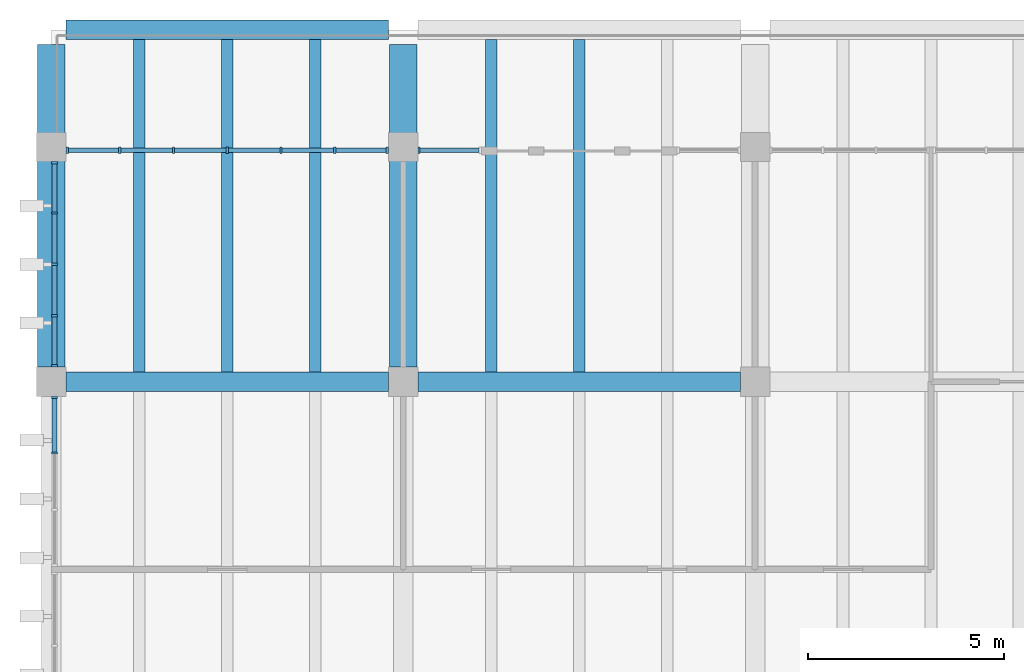
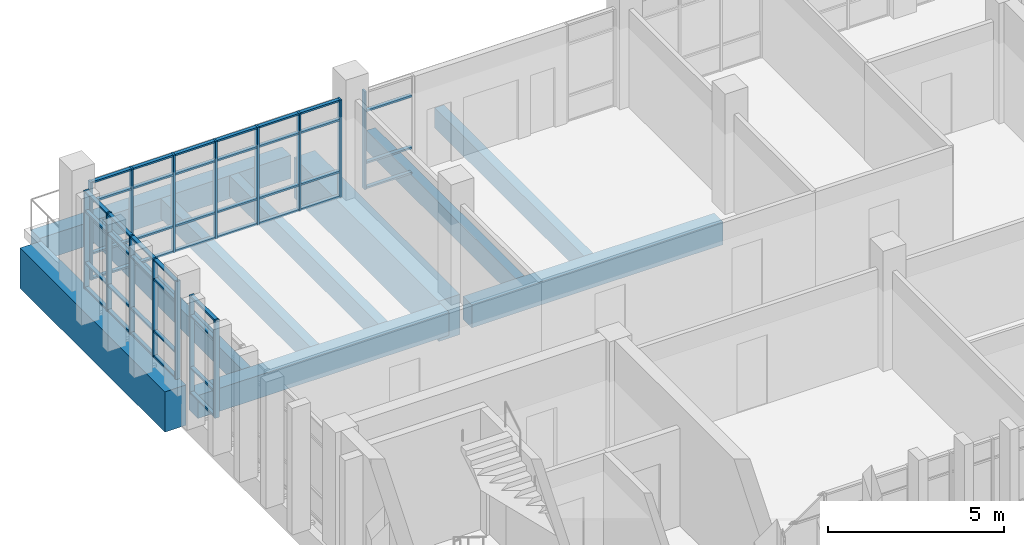
# One storey, part 4 of 15: 62 members, 10 beams, 4 elements without a shape of their own.
"""IFC4 building model written with IfcOpenShell, lengths in metres."""

from ifc_helpers import new_model, si_unit, direction, frame, origin, origin_2d, place, context, subcontext, project, spatial, rectangle, extrude, material, material_profile, profile_set, type_object, element, aggregate, save


model = new_model("IFC4")

# Units and contexts
model_context = context("Model", 3, precision=1e-05, world=origin(), true_north=direction((0.0, 1.0)))
body_context = subcontext(model_context, "Body", "Model", "MODEL_VIEW")
ifc_project = project(units=[si_unit("LENGTHUNIT", "METRE"), si_unit("AREAUNIT", "SQUARE_METRE"), si_unit("VOLUMEUNIT", "CUBIC_METRE"), si_unit("PLANEANGLEUNIT", "RADIAN"), si_unit("MASSUNIT", "GRAM", prefix="KILO")], contexts=[model_context])

# Site, building, storey
site_placement = place(None, origin())
site = spatial("IfcSite", under=ifc_project, at=site_placement, CompositionType="ELEMENT")
building_placement = place(site_placement, origin())
building = spatial("IfcBuilding", under=site, at=building_placement, Name="Merrow Basin Faculty of Sciences", CompositionType="ELEMENT")
storey_placement = place(building_placement, frame((0.0, 0.0, 31.5)))
storey = spatial("IfcBuildingStorey", under=building, at=storey_placement, Name="L07", CompositionType="ELEMENT", Elevation=31.5)

# Curtain wall, members
ifc_material_1 = material(Name="Aluminium alloy 6063", Category="aluminium")
curtain_wall_type = type_object("IfcCurtainWallType", Name="Unitised curtain wall 160", PredefinedType="NOTDEFINED", material=ifc_material_1)
curtain_wall_1_placement = place(storey_placement, origin())
curtain_wall_1 = element("IfcCurtainWall", 1, at=curtain_wall_1_placement, inside=storey, type_object=curtain_wall_type, Name="W curtain wall L07 2", PredefinedType="NOTDEFINED")
ifc_material_2 = material(Name="Aluminium alloy 6063", Category="aluminium")
ifc_material_profile_1 = material_profile(ifc_material_2, rectangle(XDim=0.159912109375, YDim=0.06005859375, at=origin_2d()))
ifc_profile_set_1 = profile_set([ifc_material_profile_1], Name="Aluminium alloy 6063")
member_type_1 = type_object("IfcMemberType", Name="Aluminium mullion 60x160", PredefinedType="MULLION", material=ifc_profile_set_1)
member_1_placement = place(storey_placement, frame((18.080078125, 158.175048828125, 0.0), z_axis=(0.0, 0.0, 1.0), x_axis=(-1.0, 0.0, 0.0)))
member_1 = element("IfcMember", 2, at=member_1_placement, type_object=member_type_1, Name="CW3 mullion 3", PredefinedType="MULLION", context=body_context, shape_type="SweptSolid", body=[
    extrude(rectangle(XDim=0.159912109375, YDim=0.06005859375, at=origin_2d()), origin(), (0.0, 0.0, 1.0), 3.39990234375),
])
member_2_placement = place(storey_placement, frame((18.080078125, 159.594970703125, 0.0), z_axis=(0.0, 0.0, 1.0), x_axis=(-1.0, 0.0, 0.0)))
member_2 = element("IfcMember", 3, at=member_2_placement, type_object=member_type_1, Name="CW3 mullion 4", PredefinedType="MULLION", context=body_context, shape_type="SweptSolid", body=[
    extrude(rectangle(XDim=0.159912109375, YDim=0.06005859375, at=origin_2d()), origin(), (0.0, 0.0, 1.0), 3.39990234375),
])

curtain_wall_2_placement = place(storey_placement, origin())
curtain_wall_2 = element("IfcCurtainWall", 4, at=curtain_wall_2_placement, inside=storey, type_object=curtain_wall_type, Name="W curtain wall L07 3", PredefinedType="NOTDEFINED")
member_3_placement = place(storey_placement, frame((18.080078125, 160.405029296875, 0.0), z_axis=(0.0, 0.0, 1.0), x_axis=(-1.0, 0.0, 0.0)))
member_3 = element("IfcMember", 5, at=member_3_placement, type_object=member_type_1, Name="CW3 mullion 1", PredefinedType="MULLION", context=body_context, shape_type="SweptSolid", body=[
    extrude(rectangle(XDim=0.159912109375, YDim=0.06005859375, at=origin_2d()), origin(), (0.0, 0.0, 1.0), 3.39990234375),
])
member_4_placement = place(storey_placement, frame((18.080078125, 161.6875, 0.0), z_axis=(0.0, 0.0, 1.0), x_axis=(-1.0, 0.0, 0.0)))
member_4 = element("IfcMember", 6, at=member_4_placement, type_object=member_type_1, Name="CW3 mullion 2", PredefinedType="MULLION", context=body_context, shape_type="SweptSolid", body=[
    extrude(rectangle(XDim=0.159912109375, YDim=0.06005859375, at=origin_2d()), origin(), (0.0, 0.0, 1.0), 3.39990234375),
])
member_5_placement = place(storey_placement, frame((18.080078125, 163.0, 0.0), z_axis=(0.0, 0.0, 1.0), x_axis=(-1.0, 0.0, 0.0)))
member_5 = element("IfcMember", 7, at=member_5_placement, type_object=member_type_1, Name="CW3 mullion 3", PredefinedType="MULLION", context=body_context, shape_type="SweptSolid", body=[
    extrude(rectangle(XDim=0.159912109375, YDim=0.06005859375, at=origin_2d()), origin(), (0.0, 0.0, 1.0), 3.39990234375),
])
member_6_placement = place(storey_placement, frame((18.080078125, 164.3125, 0.0), z_axis=(0.0, 0.0, 1.0), x_axis=(-1.0, 0.0, 0.0)))
member_6 = element("IfcMember", 8, at=member_6_placement, type_object=member_type_1, Name="CW3 mullion 4", PredefinedType="MULLION", context=body_context, shape_type="SweptSolid", body=[
    extrude(rectangle(XDim=0.159912109375, YDim=0.06005859375, at=origin_2d()), origin(), (0.0, 0.0, 1.0), 3.39990234375),
])
member_7_placement = place(storey_placement, frame((18.080078125, 165.594970703125, 0.0), z_axis=(0.0, 0.0, 1.0), x_axis=(-1.0, 0.0, 0.0)))
member_7 = element("IfcMember", 9, at=member_7_placement, type_object=member_type_1, Name="CW3 mullion 5", PredefinedType="MULLION", context=body_context, shape_type="SweptSolid", body=[
    extrude(rectangle(XDim=0.159912109375, YDim=0.06005859375, at=origin_2d()), origin(), (0.0, 0.0, 1.0), 3.39990234375),
])

curtain_wall_3_placement = place(storey_placement, origin())
curtain_wall_3 = element("IfcCurtainWall", 10, at=curtain_wall_3_placement, inside=storey, type_object=curtain_wall_type, Name="N curtain wall L07 1", PredefinedType="NOTDEFINED")
member_8_placement = place(storey_placement, frame((18.405029296875, 165.919921875, 0.0), z_axis=(0.0, 0.0, 1.0), x_axis=(0.0, 1.0, 0.0)))
member_8 = element("IfcMember", 11, at=member_8_placement, type_object=member_type_1, Name="CW3 mullion 1", PredefinedType="MULLION", context=body_context, shape_type="SweptSolid", body=[
    extrude(rectangle(XDim=0.159912109375, YDim=0.06005859375, at=origin_2d()), origin(), (0.0, 0.0, 1.0), 3.39990234375),
])
member_9_placement = place(storey_placement, frame((19.75, 165.919921875, 0.0), z_axis=(0.0, 0.0, 1.0), x_axis=(0.0, 1.0, 0.0)))
member_9 = element("IfcMember", 12, at=member_9_placement, type_object=member_type_1, Name="CW3 mullion 2", PredefinedType="MULLION", context=body_context, shape_type="SweptSolid", body=[
    extrude(rectangle(XDim=0.159912109375, YDim=0.06005859375, at=origin_2d()), origin(), (0.0, 0.0, 1.0), 3.39990234375),
])
member_10_placement = place(storey_placement, frame((21.125, 165.919921875, 0.0), z_axis=(0.0, 0.0, 1.0), x_axis=(0.0, 1.0, 0.0)))
member_10 = element("IfcMember", 13, at=member_10_placement, type_object=member_type_1, Name="CW3 mullion 3", PredefinedType="MULLION", context=body_context, shape_type="SweptSolid", body=[
    extrude(rectangle(XDim=0.159912109375, YDim=0.06005859375, at=origin_2d()), origin(), (0.0, 0.0, 1.0), 3.39990234375),
])
member_11_placement = place(storey_placement, frame((22.5, 165.919921875, 0.0), z_axis=(0.0, 0.0, 1.0), x_axis=(0.0, 1.0, 0.0)))
member_11 = element("IfcMember", 14, at=member_11_placement, type_object=member_type_1, Name="CW3 mullion 4", PredefinedType="MULLION", context=body_context, shape_type="SweptSolid", body=[
    extrude(rectangle(XDim=0.159912109375, YDim=0.06005859375, at=origin_2d()), origin(), (0.0, 0.0, 1.0), 3.39990234375),
])
member_12_placement = place(storey_placement, frame((23.875, 165.919921875, 0.0), z_axis=(0.0, 0.0, 1.0), x_axis=(0.0, 1.0, 0.0)))
member_12 = element("IfcMember", 15, at=member_12_placement, type_object=member_type_1, Name="CW3 mullion 5", PredefinedType="MULLION", context=body_context, shape_type="SweptSolid", body=[
    extrude(rectangle(XDim=0.159912109375, YDim=0.06005859375, at=origin_2d()), origin(), (0.0, 0.0, 1.0), 3.39990234375),
])
member_13_placement = place(storey_placement, frame((25.25, 165.919921875, 0.0), z_axis=(0.0, 0.0, 1.0), x_axis=(0.0, 1.0, 0.0)))
member_13 = element("IfcMember", 16, at=member_13_placement, type_object=member_type_1, Name="CW3 mullion 6", PredefinedType="MULLION", context=body_context, shape_type="SweptSolid", body=[
    extrude(rectangle(XDim=0.159912109375, YDim=0.06005859375, at=origin_2d()), origin(), (0.0, 0.0, 1.0), 3.39990234375),
])
member_14_placement = place(storey_placement, frame((26.594970703125, 165.919921875, 0.0), z_axis=(0.0, 0.0, 1.0), x_axis=(0.0, 1.0, 0.0)))
member_14 = element("IfcMember", 17, at=member_14_placement, type_object=member_type_1, Name="CW3 mullion 7", PredefinedType="MULLION", context=body_context, shape_type="SweptSolid", body=[
    extrude(rectangle(XDim=0.159912109375, YDim=0.06005859375, at=origin_2d()), origin(), (0.0, 0.0, 1.0), 3.39990234375),
])

# Curtain wall, member
curtain_wall_4_placement = place(storey_placement, origin())
curtain_wall_4 = element("IfcCurtainWall", 18, at=curtain_wall_4_placement, inside=storey, type_object=curtain_wall_type, Name="N curtain wall L07 2", PredefinedType="NOTDEFINED")
member_15_placement = place(storey_placement, frame((27.405029296875, 165.919921875, 0.0), z_axis=(0.0, 0.0, 1.0), x_axis=(0.0, 1.0, 0.0)))
member_15 = element("IfcMember", 19, at=member_15_placement, type_object=member_type_1, Name="CW3 mullion 1", PredefinedType="MULLION", context=body_context, shape_type="SweptSolid", body=[
    extrude(rectangle(XDim=0.159912109375, YDim=0.06005859375, at=origin_2d()), origin(), (0.0, 0.0, 1.0), 3.39990234375),
])

# Member
ifc_material_3 = material(Name="Aluminium alloy 6063", Category="aluminium")
ifc_material_profile_2 = material_profile(ifc_material_3, rectangle(XDim=0.1201171875, YDim=0.06005859375, at=origin_2d()))
ifc_profile_set_2 = profile_set([ifc_material_profile_2], Name="Aluminium alloy 6063")
member_type_2 = type_object("IfcMemberType", Name="Aluminium transom 60x120", PredefinedType="USERDEFINED", material=ifc_profile_set_2)
member_16_placement = place(storey_placement, frame((18.080078125, 158.205078125, 0.030029296875), z_axis=(0.0, 1.0, 0.0), x_axis=(-1.0, 0.0, 0.0)))
member_16 = element("IfcMember", 20, at=member_16_placement, type_object=member_type_2, Name="CW3 transom 3.1", ObjectType="TRANSOM", PredefinedType="USERDEFINED", context=body_context, shape_type="SweptSolid", body=[
    extrude(rectangle(XDim=0.1201171875, YDim=0.06005859375, at=origin_2d()), origin(), (0.0, 0.0, 1.0), 1.35986328125),
])

member_17_placement = place(storey_placement, frame((18.080078125, 158.205078125, 0.89990234375), z_axis=(0.0, 1.0, 0.0), x_axis=(-1.0, 0.0, 0.0)))
member_17 = element("IfcMember", 21, at=member_17_placement, type_object=member_type_2, Name="CW3 transom 3.2", ObjectType="TRANSOM", PredefinedType="USERDEFINED", context=body_context, shape_type="SweptSolid", body=[
    extrude(rectangle(XDim=0.1201171875, YDim=0.06005859375, at=origin_2d()), origin(), (0.0, 0.0, 1.0), 1.35986328125),
])

member_18_placement = place(storey_placement, frame((18.080078125, 158.205078125, 2.699951171875), z_axis=(0.0, 1.0, 0.0), x_axis=(-1.0, 0.0, 0.0)))
member_18 = element("IfcMember", 22, at=member_18_placement, type_object=member_type_2, Name="CW3 transom 3.3", ObjectType="TRANSOM", PredefinedType="USERDEFINED", context=body_context, shape_type="SweptSolid", body=[
    extrude(rectangle(XDim=0.1201171875, YDim=0.06005859375, at=origin_2d()), origin(), (0.0, 0.0, 1.0), 1.35986328125),
])

member_19_placement = place(storey_placement, frame((18.080078125, 158.205078125, 3.3701171875), z_axis=(0.0, 1.0, 0.0), x_axis=(-1.0, 0.0, 0.0)))
member_19 = element("IfcMember", 23, at=member_19_placement, type_object=member_type_2, Name="CW3 transom 3.4", ObjectType="TRANSOM", PredefinedType="USERDEFINED", context=body_context, shape_type="SweptSolid", body=[
    extrude(rectangle(XDim=0.1201171875, YDim=0.06005859375, at=origin_2d()), origin(), (0.0, 0.0, 1.0), 1.35986328125),
])

aggregate(curtain_wall_1, [member_1, member_2, member_16, member_17, member_18, member_19])

member_20_placement = place(storey_placement, frame((18.080078125, 160.43505859375, 0.030029296875), z_axis=(0.0, 1.0, 0.0), x_axis=(-1.0, 0.0, 0.0)))
member_20 = element("IfcMember", 24, at=member_20_placement, type_object=member_type_2, Name="CW3 transom 1.1", ObjectType="TRANSOM", PredefinedType="USERDEFINED", context=body_context, shape_type="SweptSolid", body=[
    extrude(rectangle(XDim=0.1201171875, YDim=0.06005859375, at=origin_2d()), origin(), (0.0, 0.0, 1.0), 1.222412109375),
])

member_21_placement = place(storey_placement, frame((18.080078125, 160.43505859375, 0.89990234375), z_axis=(0.0, 1.0, 0.0), x_axis=(-1.0, 0.0, 0.0)))
member_21 = element("IfcMember", 25, at=member_21_placement, type_object=member_type_2, Name="CW3 transom 1.2", ObjectType="TRANSOM", PredefinedType="USERDEFINED", context=body_context, shape_type="SweptSolid", body=[
    extrude(rectangle(XDim=0.1201171875, YDim=0.06005859375, at=origin_2d()), origin(), (0.0, 0.0, 1.0), 1.222412109375),
])

member_22_placement = place(storey_placement, frame((18.080078125, 160.43505859375, 2.699951171875), z_axis=(0.0, 1.0, 0.0), x_axis=(-1.0, 0.0, 0.0)))
member_22 = element("IfcMember", 26, at=member_22_placement, type_object=member_type_2, Name="CW3 transom 1.3", ObjectType="TRANSOM", PredefinedType="USERDEFINED", context=body_context, shape_type="SweptSolid", body=[
    extrude(rectangle(XDim=0.1201171875, YDim=0.06005859375, at=origin_2d()), origin(), (0.0, 0.0, 1.0), 1.222412109375),
])

member_23_placement = place(storey_placement, frame((18.080078125, 160.43505859375, 3.3701171875), z_axis=(0.0, 1.0, 0.0), x_axis=(-1.0, 0.0, 0.0)))
member_23 = element("IfcMember", 27, at=member_23_placement, type_object=member_type_2, Name="CW3 transom 1.4", ObjectType="TRANSOM", PredefinedType="USERDEFINED", context=body_context, shape_type="SweptSolid", body=[
    extrude(rectangle(XDim=0.1201171875, YDim=0.06005859375, at=origin_2d()), origin(), (0.0, 0.0, 1.0), 1.222412109375),
])

member_24_placement = place(storey_placement, frame((18.080078125, 161.717529296875, 0.030029296875), z_axis=(0.0, 1.0, 0.0), x_axis=(-1.0, 0.0, 0.0)))
member_24 = element("IfcMember", 28, at=member_24_placement, type_object=member_type_2, Name="CW3 transom 2.1", ObjectType="TRANSOM", PredefinedType="USERDEFINED", context=body_context, shape_type="SweptSolid", body=[
    extrude(rectangle(XDim=0.1201171875, YDim=0.06005859375, at=origin_2d()), origin(), (0.0, 0.0, 1.0), 1.25244140625),
])

member_25_placement = place(storey_placement, frame((18.080078125, 161.717529296875, 0.89990234375), z_axis=(0.0, 1.0, 0.0), x_axis=(-1.0, 0.0, 0.0)))
member_25 = element("IfcMember", 29, at=member_25_placement, type_object=member_type_2, Name="CW3 transom 2.2", ObjectType="TRANSOM", PredefinedType="USERDEFINED", context=body_context, shape_type="SweptSolid", body=[
    extrude(rectangle(XDim=0.1201171875, YDim=0.06005859375, at=origin_2d()), origin(), (0.0, 0.0, 1.0), 1.25244140625),
])

member_26_placement = place(storey_placement, frame((18.080078125, 161.717529296875, 2.699951171875), z_axis=(0.0, 1.0, 0.0), x_axis=(-1.0, 0.0, 0.0)))
member_26 = element("IfcMember", 30, at=member_26_placement, type_object=member_type_2, Name="CW3 transom 2.3", ObjectType="TRANSOM", PredefinedType="USERDEFINED", context=body_context, shape_type="SweptSolid", body=[
    extrude(rectangle(XDim=0.1201171875, YDim=0.06005859375, at=origin_2d()), origin(), (0.0, 0.0, 1.0), 1.25244140625),
])

member_27_placement = place(storey_placement, frame((18.080078125, 161.717529296875, 3.3701171875), z_axis=(0.0, 1.0, 0.0), x_axis=(-1.0, 0.0, 0.0)))
member_27 = element("IfcMember", 31, at=member_27_placement, type_object=member_type_2, Name="CW3 transom 2.4", ObjectType="TRANSOM", PredefinedType="USERDEFINED", context=body_context, shape_type="SweptSolid", body=[
    extrude(rectangle(XDim=0.1201171875, YDim=0.06005859375, at=origin_2d()), origin(), (0.0, 0.0, 1.0), 1.25244140625),
])

member_28_placement = place(storey_placement, frame((18.080078125, 163.030029296875, 0.030029296875), z_axis=(0.0, 1.0, 0.0), x_axis=(-1.0, 0.0, 0.0)))
member_28 = element("IfcMember", 32, at=member_28_placement, type_object=member_type_2, Name="CW3 transom 3.1", ObjectType="TRANSOM", PredefinedType="USERDEFINED", context=body_context, shape_type="SweptSolid", body=[
    extrude(rectangle(XDim=0.1201171875, YDim=0.06005859375, at=origin_2d()), origin(), (0.0, 0.0, 1.0), 1.25244140625),
])

member_29_placement = place(storey_placement, frame((18.080078125, 163.030029296875, 0.89990234375), z_axis=(0.0, 1.0, 0.0), x_axis=(-1.0, 0.0, 0.0)))
member_29 = element("IfcMember", 33, at=member_29_placement, type_object=member_type_2, Name="CW3 transom 3.2", ObjectType="TRANSOM", PredefinedType="USERDEFINED", context=body_context, shape_type="SweptSolid", body=[
    extrude(rectangle(XDim=0.1201171875, YDim=0.06005859375, at=origin_2d()), origin(), (0.0, 0.0, 1.0), 1.25244140625),
])

member_30_placement = place(storey_placement, frame((18.080078125, 163.030029296875, 2.699951171875), z_axis=(0.0, 1.0, 0.0), x_axis=(-1.0, 0.0, 0.0)))
member_30 = element("IfcMember", 34, at=member_30_placement, type_object=member_type_2, Name="CW3 transom 3.3", ObjectType="TRANSOM", PredefinedType="USERDEFINED", context=body_context, shape_type="SweptSolid", body=[
    extrude(rectangle(XDim=0.1201171875, YDim=0.06005859375, at=origin_2d()), origin(), (0.0, 0.0, 1.0), 1.25244140625),
])

member_31_placement = place(storey_placement, frame((18.080078125, 163.030029296875, 3.3701171875), z_axis=(0.0, 1.0, 0.0), x_axis=(-1.0, 0.0, 0.0)))
member_31 = element("IfcMember", 35, at=member_31_placement, type_object=member_type_2, Name="CW3 transom 3.4", ObjectType="TRANSOM", PredefinedType="USERDEFINED", context=body_context, shape_type="SweptSolid", body=[
    extrude(rectangle(XDim=0.1201171875, YDim=0.06005859375, at=origin_2d()), origin(), (0.0, 0.0, 1.0), 1.25244140625),
])

member_32_placement = place(storey_placement, frame((18.080078125, 164.342529296875, 0.030029296875), z_axis=(0.0, 1.0, 0.0), x_axis=(-1.0, 0.0, 0.0)))
member_32 = element("IfcMember", 36, at=member_32_placement, type_object=member_type_2, Name="CW3 transom 4.1", ObjectType="TRANSOM", PredefinedType="USERDEFINED", context=body_context, shape_type="SweptSolid", body=[
    extrude(rectangle(XDim=0.1201171875, YDim=0.06005859375, at=origin_2d()), origin(), (0.0, 0.0, 1.0), 1.222412109375),
])

member_33_placement = place(storey_placement, frame((18.080078125, 164.342529296875, 0.89990234375), z_axis=(0.0, 1.0, 0.0), x_axis=(-1.0, 0.0, 0.0)))
member_33 = element("IfcMember", 37, at=member_33_placement, type_object=member_type_2, Name="CW3 transom 4.2", ObjectType="TRANSOM", PredefinedType="USERDEFINED", context=body_context, shape_type="SweptSolid", body=[
    extrude(rectangle(XDim=0.1201171875, YDim=0.06005859375, at=origin_2d()), origin(), (0.0, 0.0, 1.0), 1.222412109375),
])

member_34_placement = place(storey_placement, frame((18.080078125, 164.342529296875, 2.699951171875), z_axis=(0.0, 1.0, 0.0), x_axis=(-1.0, 0.0, 0.0)))
member_34 = element("IfcMember", 38, at=member_34_placement, type_object=member_type_2, Name="CW3 transom 4.3", ObjectType="TRANSOM", PredefinedType="USERDEFINED", context=body_context, shape_type="SweptSolid", body=[
    extrude(rectangle(XDim=0.1201171875, YDim=0.06005859375, at=origin_2d()), origin(), (0.0, 0.0, 1.0), 1.222412109375),
])

member_35_placement = place(storey_placement, frame((18.080078125, 164.342529296875, 3.3701171875), z_axis=(0.0, 1.0, 0.0), x_axis=(-1.0, 0.0, 0.0)))
member_35 = element("IfcMember", 39, at=member_35_placement, type_object=member_type_2, Name="CW3 transom 4.4", ObjectType="TRANSOM", PredefinedType="USERDEFINED", context=body_context, shape_type="SweptSolid", body=[
    extrude(rectangle(XDim=0.1201171875, YDim=0.06005859375, at=origin_2d()), origin(), (0.0, 0.0, 1.0), 1.222412109375),
])

aggregate(curtain_wall_2, [member_3, member_4, member_5, member_6, member_7, member_20, member_21, member_22, member_23, member_24, member_25, member_26, member_27, member_28, member_29, member_30, member_31, member_32, member_33, member_34, member_35])

member_36_placement = place(storey_placement, frame((18.43505859375, 165.919921875, 0.030029296875), z_axis=(1.0, 0.0, 0.0), x_axis=(0.0, 1.0, 0.0)))
member_36 = element("IfcMember", 40, at=member_36_placement, type_object=member_type_2, Name="CW3 transom 1.1", ObjectType="TRANSOM", PredefinedType="USERDEFINED", context=body_context, shape_type="SweptSolid", body=[
    extrude(rectangle(XDim=0.1201171875, YDim=0.06005859375, at=origin_2d()), origin(), (0.0, 0.0, 1.0), 1.284912109375),
])

member_37_placement = place(storey_placement, frame((18.43505859375, 165.919921875, 0.89990234375), z_axis=(1.0, 0.0, 0.0), x_axis=(0.0, 1.0, 0.0)))
member_37 = element("IfcMember", 41, at=member_37_placement, type_object=member_type_2, Name="CW3 transom 1.2", ObjectType="TRANSOM", PredefinedType="USERDEFINED", context=body_context, shape_type="SweptSolid", body=[
    extrude(rectangle(XDim=0.1201171875, YDim=0.06005859375, at=origin_2d()), origin(), (0.0, 0.0, 1.0), 1.284912109375),
])

member_38_placement = place(storey_placement, frame((18.43505859375, 165.919921875, 2.699951171875), z_axis=(1.0, 0.0, 0.0), x_axis=(0.0, 1.0, 0.0)))
member_38 = element("IfcMember", 42, at=member_38_placement, type_object=member_type_2, Name="CW3 transom 1.3", ObjectType="TRANSOM", PredefinedType="USERDEFINED", context=body_context, shape_type="SweptSolid", body=[
    extrude(rectangle(XDim=0.1201171875, YDim=0.06005859375, at=origin_2d()), origin(), (0.0, 0.0, 1.0), 1.284912109375),
])

member_39_placement = place(storey_placement, frame((18.43505859375, 165.919921875, 3.3701171875), z_axis=(1.0, 0.0, 0.0), x_axis=(0.0, 1.0, 0.0)))
member_39 = element("IfcMember", 43, at=member_39_placement, type_object=member_type_2, Name="CW3 transom 1.4", ObjectType="TRANSOM", PredefinedType="USERDEFINED", context=body_context, shape_type="SweptSolid", body=[
    extrude(rectangle(XDim=0.1201171875, YDim=0.06005859375, at=origin_2d()), origin(), (0.0, 0.0, 1.0), 1.284912109375),
])

member_40_placement = place(storey_placement, frame((19.780029296875, 165.919921875, 0.030029296875), z_axis=(1.0, 0.0, 0.0), x_axis=(0.0, 1.0, 0.0)))
member_40 = element("IfcMember", 44, at=member_40_placement, type_object=member_type_2, Name="CW3 transom 2.1", ObjectType="TRANSOM", PredefinedType="USERDEFINED", context=body_context, shape_type="SweptSolid", body=[
    extrude(rectangle(XDim=0.1201171875, YDim=0.06005859375, at=origin_2d()), origin(), (0.0, 0.0, 1.0), 1.31494140625),
])

member_41_placement = place(storey_placement, frame((19.780029296875, 165.919921875, 0.89990234375), z_axis=(1.0, 0.0, 0.0), x_axis=(0.0, 1.0, 0.0)))
member_41 = element("IfcMember", 45, at=member_41_placement, type_object=member_type_2, Name="CW3 transom 2.2", ObjectType="TRANSOM", PredefinedType="USERDEFINED", context=body_context, shape_type="SweptSolid", body=[
    extrude(rectangle(XDim=0.1201171875, YDim=0.06005859375, at=origin_2d()), origin(), (0.0, 0.0, 1.0), 1.31494140625),
])

member_42_placement = place(storey_placement, frame((19.780029296875, 165.919921875, 2.699951171875), z_axis=(1.0, 0.0, 0.0), x_axis=(0.0, 1.0, 0.0)))
member_42 = element("IfcMember", 46, at=member_42_placement, type_object=member_type_2, Name="CW3 transom 2.3", ObjectType="TRANSOM", PredefinedType="USERDEFINED", context=body_context, shape_type="SweptSolid", body=[
    extrude(rectangle(XDim=0.1201171875, YDim=0.06005859375, at=origin_2d()), origin(), (0.0, 0.0, 1.0), 1.31494140625),
])

member_43_placement = place(storey_placement, frame((19.780029296875, 165.919921875, 3.3701171875), z_axis=(1.0, 0.0, 0.0), x_axis=(0.0, 1.0, 0.0)))
member_43 = element("IfcMember", 47, at=member_43_placement, type_object=member_type_2, Name="CW3 transom 2.4", ObjectType="TRANSOM", PredefinedType="USERDEFINED", context=body_context, shape_type="SweptSolid", body=[
    extrude(rectangle(XDim=0.1201171875, YDim=0.06005859375, at=origin_2d()), origin(), (0.0, 0.0, 1.0), 1.31494140625),
])

member_44_placement = place(storey_placement, frame((21.155029296875, 165.919921875, 0.030029296875), z_axis=(1.0, 0.0, 0.0), x_axis=(0.0, 1.0, 0.0)))
member_44 = element("IfcMember", 48, at=member_44_placement, type_object=member_type_2, Name="CW3 transom 3.1", ObjectType="TRANSOM", PredefinedType="USERDEFINED", context=body_context, shape_type="SweptSolid", body=[
    extrude(rectangle(XDim=0.1201171875, YDim=0.06005859375, at=origin_2d()), origin(), (0.0, 0.0, 1.0), 1.31494140625),
])

member_45_placement = place(storey_placement, frame((21.155029296875, 165.919921875, 0.89990234375), z_axis=(1.0, 0.0, 0.0), x_axis=(0.0, 1.0, 0.0)))
member_45 = element("IfcMember", 49, at=member_45_placement, type_object=member_type_2, Name="CW3 transom 3.2", ObjectType="TRANSOM", PredefinedType="USERDEFINED", context=body_context, shape_type="SweptSolid", body=[
    extrude(rectangle(XDim=0.1201171875, YDim=0.06005859375, at=origin_2d()), origin(), (0.0, 0.0, 1.0), 1.31494140625),
])

member_46_placement = place(storey_placement, frame((21.155029296875, 165.919921875, 2.699951171875), z_axis=(1.0, 0.0, 0.0), x_axis=(0.0, 1.0, 0.0)))
member_46 = element("IfcMember", 50, at=member_46_placement, type_object=member_type_2, Name="CW3 transom 3.3", ObjectType="TRANSOM", PredefinedType="USERDEFINED", context=body_context, shape_type="SweptSolid", body=[
    extrude(rectangle(XDim=0.1201171875, YDim=0.06005859375, at=origin_2d()), origin(), (0.0, 0.0, 1.0), 1.31494140625),
])

member_47_placement = place(storey_placement, frame((21.155029296875, 165.919921875, 3.3701171875), z_axis=(1.0, 0.0, 0.0), x_axis=(0.0, 1.0, 0.0)))
member_47 = element("IfcMember", 51, at=member_47_placement, type_object=member_type_2, Name="CW3 transom 3.4", ObjectType="TRANSOM", PredefinedType="USERDEFINED", context=body_context, shape_type="SweptSolid", body=[
    extrude(rectangle(XDim=0.1201171875, YDim=0.06005859375, at=origin_2d()), origin(), (0.0, 0.0, 1.0), 1.31494140625),
])

member_48_placement = place(storey_placement, frame((22.530029296875, 165.919921875, 0.030029296875), z_axis=(1.0, 0.0, 0.0), x_axis=(0.0, 1.0, 0.0)))
member_48 = element("IfcMember", 52, at=member_48_placement, type_object=member_type_2, Name="CW3 transom 4.1", ObjectType="TRANSOM", PredefinedType="USERDEFINED", context=body_context, shape_type="SweptSolid", body=[
    extrude(rectangle(XDim=0.1201171875, YDim=0.06005859375, at=origin_2d()), origin(), (0.0, 0.0, 1.0), 1.31494140625),
])

member_49_placement = place(storey_placement, frame((22.530029296875, 165.919921875, 0.89990234375), z_axis=(1.0, 0.0, 0.0), x_axis=(0.0, 1.0, 0.0)))
member_49 = element("IfcMember", 53, at=member_49_placement, type_object=member_type_2, Name="CW3 transom 4.2", ObjectType="TRANSOM", PredefinedType="USERDEFINED", context=body_context, shape_type="SweptSolid", body=[
    extrude(rectangle(XDim=0.1201171875, YDim=0.06005859375, at=origin_2d()), origin(), (0.0, 0.0, 1.0), 1.31494140625),
])

member_50_placement = place(storey_placement, frame((22.530029296875, 165.919921875, 2.699951171875), z_axis=(1.0, 0.0, 0.0), x_axis=(0.0, 1.0, 0.0)))
member_50 = element("IfcMember", 54, at=member_50_placement, type_object=member_type_2, Name="CW3 transom 4.3", ObjectType="TRANSOM", PredefinedType="USERDEFINED", context=body_context, shape_type="SweptSolid", body=[
    extrude(rectangle(XDim=0.1201171875, YDim=0.06005859375, at=origin_2d()), origin(), (0.0, 0.0, 1.0), 1.31494140625),
])

member_51_placement = place(storey_placement, frame((22.530029296875, 165.919921875, 3.3701171875), z_axis=(1.0, 0.0, 0.0), x_axis=(0.0, 1.0, 0.0)))
member_51 = element("IfcMember", 55, at=member_51_placement, type_object=member_type_2, Name="CW3 transom 4.4", ObjectType="TRANSOM", PredefinedType="USERDEFINED", context=body_context, shape_type="SweptSolid", body=[
    extrude(rectangle(XDim=0.1201171875, YDim=0.06005859375, at=origin_2d()), origin(), (0.0, 0.0, 1.0), 1.31494140625),
])

member_52_placement = place(storey_placement, frame((23.905029296875, 165.919921875, 0.030029296875), z_axis=(1.0, 0.0, 0.0), x_axis=(0.0, 1.0, 0.0)))
member_52 = element("IfcMember", 56, at=member_52_placement, type_object=member_type_2, Name="CW3 transom 5.1", ObjectType="TRANSOM", PredefinedType="USERDEFINED", context=body_context, shape_type="SweptSolid", body=[
    extrude(rectangle(XDim=0.1201171875, YDim=0.06005859375, at=origin_2d()), origin(), (0.0, 0.0, 1.0), 1.31494140625),
])

member_53_placement = place(storey_placement, frame((23.905029296875, 165.919921875, 0.89990234375), z_axis=(1.0, 0.0, 0.0), x_axis=(0.0, 1.0, 0.0)))
member_53 = element("IfcMember", 57, at=member_53_placement, type_object=member_type_2, Name="CW3 transom 5.2", ObjectType="TRANSOM", PredefinedType="USERDEFINED", context=body_context, shape_type="SweptSolid", body=[
    extrude(rectangle(XDim=0.1201171875, YDim=0.06005859375, at=origin_2d()), origin(), (0.0, 0.0, 1.0), 1.31494140625),
])

member_54_placement = place(storey_placement, frame((23.905029296875, 165.919921875, 2.699951171875), z_axis=(1.0, 0.0, 0.0), x_axis=(0.0, 1.0, 0.0)))
member_54 = element("IfcMember", 58, at=member_54_placement, type_object=member_type_2, Name="CW3 transom 5.3", ObjectType="TRANSOM", PredefinedType="USERDEFINED", context=body_context, shape_type="SweptSolid", body=[
    extrude(rectangle(XDim=0.1201171875, YDim=0.06005859375, at=origin_2d()), origin(), (0.0, 0.0, 1.0), 1.31494140625),
])

member_55_placement = place(storey_placement, frame((23.905029296875, 165.919921875, 3.3701171875), z_axis=(1.0, 0.0, 0.0), x_axis=(0.0, 1.0, 0.0)))
member_55 = element("IfcMember", 59, at=member_55_placement, type_object=member_type_2, Name="CW3 transom 5.4", ObjectType="TRANSOM", PredefinedType="USERDEFINED", context=body_context, shape_type="SweptSolid", body=[
    extrude(rectangle(XDim=0.1201171875, YDim=0.06005859375, at=origin_2d()), origin(), (0.0, 0.0, 1.0), 1.31494140625),
])

member_56_placement = place(storey_placement, frame((25.280029296875, 165.919921875, 0.030029296875), z_axis=(1.0, 0.0, 0.0), x_axis=(0.0, 1.0, 0.0)))
member_56 = element("IfcMember", 60, at=member_56_placement, type_object=member_type_2, Name="CW3 transom 6.1", ObjectType="TRANSOM", PredefinedType="USERDEFINED", context=body_context, shape_type="SweptSolid", body=[
    extrude(rectangle(XDim=0.1201171875, YDim=0.06005859375, at=origin_2d()), origin(), (0.0, 0.0, 1.0), 1.284912109375),
])

member_57_placement = place(storey_placement, frame((25.280029296875, 165.919921875, 0.89990234375), z_axis=(1.0, 0.0, 0.0), x_axis=(0.0, 1.0, 0.0)))
member_57 = element("IfcMember", 61, at=member_57_placement, type_object=member_type_2, Name="CW3 transom 6.2", ObjectType="TRANSOM", PredefinedType="USERDEFINED", context=body_context, shape_type="SweptSolid", body=[
    extrude(rectangle(XDim=0.1201171875, YDim=0.06005859375, at=origin_2d()), origin(), (0.0, 0.0, 1.0), 1.284912109375),
])

member_58_placement = place(storey_placement, frame((25.280029296875, 165.919921875, 2.699951171875), z_axis=(1.0, 0.0, 0.0), x_axis=(0.0, 1.0, 0.0)))
member_58 = element("IfcMember", 62, at=member_58_placement, type_object=member_type_2, Name="CW3 transom 6.3", ObjectType="TRANSOM", PredefinedType="USERDEFINED", context=body_context, shape_type="SweptSolid", body=[
    extrude(rectangle(XDim=0.1201171875, YDim=0.06005859375, at=origin_2d()), origin(), (0.0, 0.0, 1.0), 1.284912109375),
])

member_59_placement = place(storey_placement, frame((25.280029296875, 165.919921875, 3.3701171875), z_axis=(1.0, 0.0, 0.0), x_axis=(0.0, 1.0, 0.0)))
member_59 = element("IfcMember", 63, at=member_59_placement, type_object=member_type_2, Name="CW3 transom 6.4", ObjectType="TRANSOM", PredefinedType="USERDEFINED", context=body_context, shape_type="SweptSolid", body=[
    extrude(rectangle(XDim=0.1201171875, YDim=0.06005859375, at=origin_2d()), origin(), (0.0, 0.0, 1.0), 1.284912109375),
])

aggregate(curtain_wall_3, [member_8, member_9, member_10, member_11, member_12, member_13, member_14, member_36, member_37, member_38, member_39, member_40, member_41, member_42, member_43, member_44, member_45, member_46, member_47, member_48, member_49, member_50, member_51, member_52, member_53, member_54, member_55, member_56, member_57, member_58, member_59])

member_60_placement = place(storey_placement, frame((27.43505859375, 165.919921875, 0.030029296875), z_axis=(1.0, 0.0, 0.0), x_axis=(0.0, 1.0, 0.0)))
member_60 = element("IfcMember", 64, at=member_60_placement, type_object=member_type_2, Name="CW3 transom 1.1", ObjectType="TRANSOM", PredefinedType="USERDEFINED", context=body_context, shape_type="SweptSolid", body=[
    extrude(rectangle(XDim=0.1201171875, YDim=0.06005859375, at=origin_2d()), origin(), (0.0, 0.0, 1.0), 1.5048828125),
])

member_61_placement = place(storey_placement, frame((27.43505859375, 165.919921875, 0.89990234375), z_axis=(1.0, 0.0, 0.0), x_axis=(0.0, 1.0, 0.0)))
member_61 = element("IfcMember", 65, at=member_61_placement, type_object=member_type_2, Name="CW3 transom 1.2", ObjectType="TRANSOM", PredefinedType="USERDEFINED", context=body_context, shape_type="SweptSolid", body=[
    extrude(rectangle(XDim=0.1201171875, YDim=0.06005859375, at=origin_2d()), origin(), (0.0, 0.0, 1.0), 1.5048828125),
])

member_62_placement = place(storey_placement, frame((27.43505859375, 165.919921875, 2.699951171875), z_axis=(1.0, 0.0, 0.0), x_axis=(0.0, 1.0, 0.0)))
member_62 = element("IfcMember", 66, at=member_62_placement, type_object=member_type_2, Name="CW3 transom 1.3", ObjectType="TRANSOM", PredefinedType="USERDEFINED", context=body_context, shape_type="SweptSolid", body=[
    extrude(rectangle(XDim=0.1201171875, YDim=0.06005859375, at=origin_2d()), origin(), (0.0, 0.0, 1.0), 1.5048828125),
])

aggregate(curtain_wall_4, [member_15, member_60, member_61, member_62])

# Beams
ifc_material_4 = material(Name="Concrete C40/50", Category="concrete")
ifc_material_profile_3 = material_profile(ifc_material_4, rectangle(XDim=0.5, YDim=0.800048828125, at=origin_2d()))
ifc_profile_set_3 = profile_set([ifc_material_profile_3], Name="Concrete C40/50")
beam_type_1 = type_object("IfcBeamType", Name="Beam RC500x800 C40/50", PredefinedType="BEAM", material=ifc_profile_set_3)
for number, where, z_axis, x_axis, name in (
    (67, (18.375, 160.0, -0.699951171875), (1.0, 0.0, 0.0), (0.0, 1.0, 0.0), "B4 L07 006"),
    (68, (27.375, 160.0, -0.699951171875), (1.0, 0.0, 0.0), (0.0, 1.0, 0.0), "B4 L07 007"),
    (69, (18.375, 169.0, -0.699951171875), (1.0, 0.0, 0.0), (0.0, 1.0, 0.0), "B4 L07 009"),
):
    element("IfcBeam", number, at=place(storey_placement, frame(where, z_axis=z_axis, x_axis=x_axis)), inside=storey, type_object=beam_type_1, Name=name, PredefinedType="BEAM", context=body_context, shape_type="SweptSolid", body=[
        extrude(rectangle(XDim=0.5, YDim=0.800048828125, at=origin_2d()), origin(), (0.0, 0.0, 1.0), 8.25),
    ])
ifc_material_5 = material(Name="Concrete C40/50", Category="concrete")
ifc_material_profile_4 = material_profile(ifc_material_5, rectangle(XDim=0.699951171875, YDim=1.39990234375, at=origin_2d()))
ifc_profile_set_4 = profile_set([ifc_material_profile_4], Name="Concrete C40/50")
beam_type_2 = type_object("IfcBeamType", Name="Beam RC700x1400 C40/50", PredefinedType="BEAM", material=ifc_profile_set_4)
for number, where, z_axis, x_axis, name in (
    (70, (18.0, 160.375, -1.0), (0.0, 1.0, 0.0), (-1.0, 0.0, 0.0), "B5 L07 014"),
    (71, (27.0, 160.375, -1.0), (0.0, 1.0, 0.0), (-1.0, 0.0, 0.0), "B5 L07 016"),
):
    element("IfcBeam", number, at=place(storey_placement, frame(where, z_axis=z_axis, x_axis=x_axis)), inside=storey, type_object=beam_type_2, Name=name, PredefinedType="BEAM", context=body_context, shape_type="SweptSolid", body=[
        extrude(rectangle(XDim=0.699951171875, YDim=1.39990234375, at=origin_2d()), origin(), (0.0, 0.0, 1.0), 8.25),
    ])
ifc_material_6 = material(Name="Concrete C40/50", Category="concrete")
ifc_material_profile_5 = material_profile(ifc_material_6, rectangle(XDim=0.300048828125, YDim=0.699951171875, at=origin_2d()))
ifc_profile_set_5 = profile_set([ifc_material_profile_5], Name="Concrete C40/50")
beam_type_3 = type_object("IfcBeamType", Name="Terrace joist RC300x700 C40/50", PredefinedType="BEAM", material=ifc_profile_set_5)
for number, where, z_axis, x_axis, name in (
    (72, (20.25, 160.25, -0.64990234375), (0.0, 1.0, 0.0), (-1.0, 0.0, 0.0), "JX1 L07 029"),
    (73, (22.5, 160.25, -0.64990234375), (0.0, 1.0, 0.0), (-1.0, 0.0, 0.0), "JX1 L07 030"),
    (74, (24.75, 160.25, -0.64990234375), (0.0, 1.0, 0.0), (-1.0, 0.0, 0.0), "JX1 L07 031"),
    (75, (29.25, 160.25, -0.64990234375), (0.0, 1.0, 0.0), (-1.0, 0.0, 0.0), "JX1 L07 038"),
    (76, (31.5, 160.25, -0.64990234375), (0.0, 1.0, 0.0), (-1.0, 0.0, 0.0), "JX1 L07 039"),
):
    element("IfcBeam", number, at=place(storey_placement, frame(where, z_axis=z_axis, x_axis=x_axis)), inside=storey, type_object=beam_type_3, Name=name, PredefinedType="BEAM", context=body_context, shape_type="SweptSolid", body=[
        extrude(rectangle(XDim=0.300048828125, YDim=0.699951171875, at=origin_2d()), origin(), (0.0, 0.0, 1.0), 8.5),
    ])

save(model, "model.ifc")
